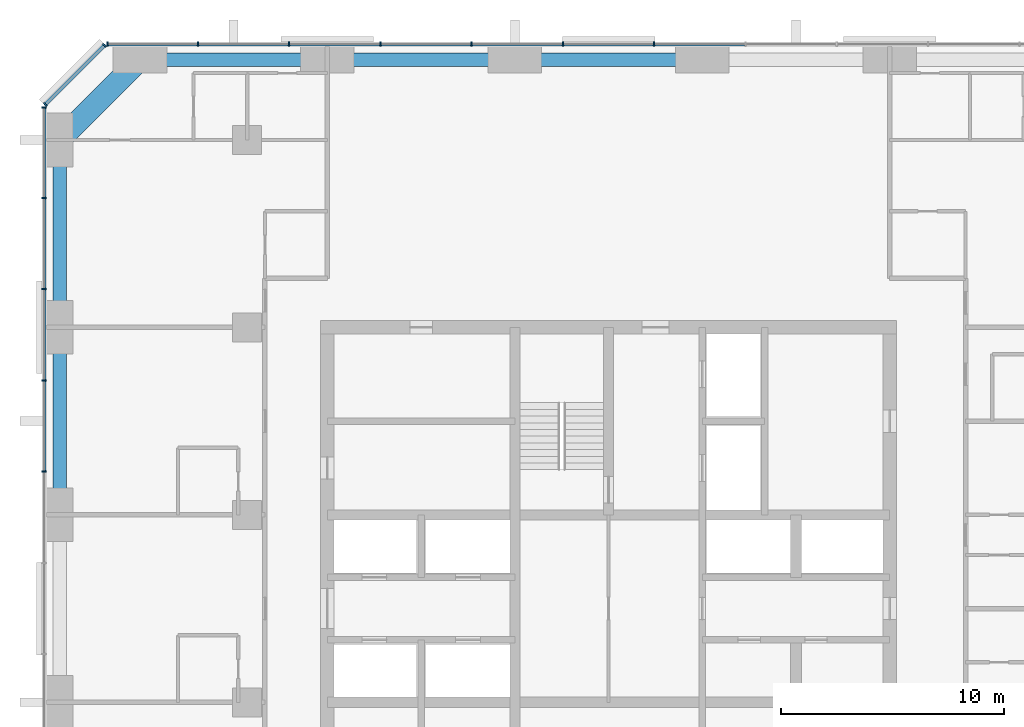
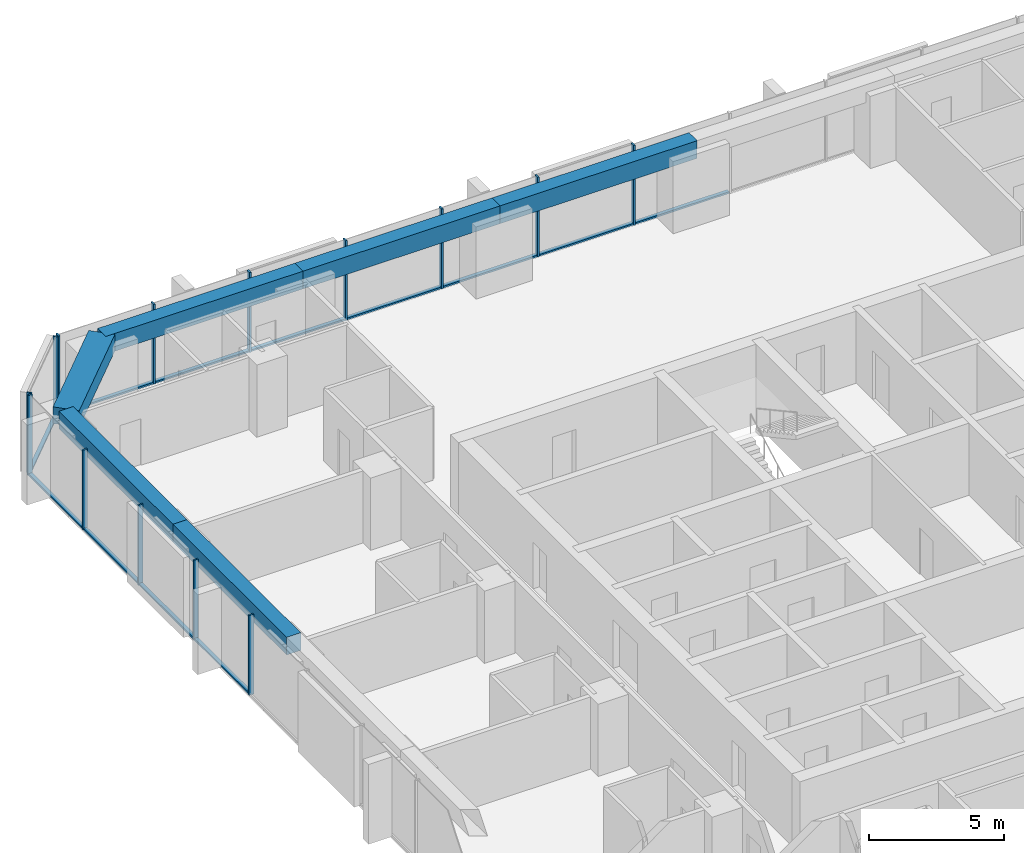
# One storey, part 5 of 13: 26 members, 6 beams, 3 elements without a shape of their own.
"""IFC4 building model written with IfcOpenShell, lengths in metres."""

from ifc_helpers import new_model, si_unit, direction, frame, origin, origin_2d, place, context, subcontext, project, spatial, rectangle, extrude, material, material_profile, profile_set, type_object, element, aggregate, save


model = new_model("IFC4")

# Units and contexts
model_context = context("Model", 3, precision=1e-05, world=origin(), true_north=direction((0.0, 1.0)))
body_context = subcontext(model_context, "Body", "Model", "MODEL_VIEW")
ifc_project = project(units=[si_unit("LENGTHUNIT", "METRE"), si_unit("AREAUNIT", "SQUARE_METRE"), si_unit("VOLUMEUNIT", "CUBIC_METRE"), si_unit("PLANEANGLEUNIT", "RADIAN"), si_unit("MASSUNIT", "GRAM", prefix="KILO")], contexts=[model_context])

# Site, building, storey
site_placement = place(None, origin())
site = spatial("IfcSite", under=ifc_project, at=site_placement, CompositionType="ELEMENT")
building_placement = place(site_placement, origin())
building = spatial("IfcBuilding", under=site, at=building_placement, Name="Dunama Terrace Hotel", CompositionType="ELEMENT")
storey_placement = place(building_placement, frame((0.0, 0.0, 187.800048828125)))
storey = spatial("IfcBuildingStorey", under=building, at=storey_placement, Name="L48", CompositionType="ELEMENT", Elevation=187.800048828125)

# Curtain wall, members
ifc_material_1 = material(Name="Aluminium curtain wall system", Category="aluminium")
curtain_wall_type = type_object("IfcCurtainWallType", Name="Unitised fritted glass wall CW-C", PredefinedType="NOTDEFINED", material=ifc_material_1)
curtain_wall_1_placement = place(storey_placement, origin())
curtain_wall_1 = element("IfcCurtainWall", 1, at=curtain_wall_1_placement, inside=storey, type_object=curtain_wall_type, Name="Unitised fritted glass wall CW-C L48", PredefinedType="NOTDEFINED")
ifc_material_2 = material(Name="Aluminium mullion", Category="aluminium")
ifc_material_profile_1 = material_profile(ifc_material_2, rectangle(XDim=0.070068359375, YDim=0.199951171875, at=origin_2d()), Name="CWC MULLION 70X200")
ifc_profile_set_1 = profile_set([ifc_material_profile_1], Name="Aluminium mullion")
member_type_1 = type_object("IfcMemberType", Name="CWC mullion 70x200", PredefinedType="MULLION", material=ifc_profile_set_1)
member_1_placement = place(storey_placement, frame((31.445068359375, 54.699951171875, 0.0), z_axis=(0.0, 0.0, 1.0), x_axis=(-1.0, 0.0, 0.0)))
member_1 = element("IfcMember", 2, at=member_1_placement, type_object=member_type_1, Name="CWC mullion", PredefinedType="MULLION", context=body_context, shape_type="SweptSolid", body=[
    extrude(rectangle(XDim=0.070068359375, YDim=0.199951171875, at=origin_2d()), origin(), (0.0, 0.0, 1.0), 3.599853515625),
])
member_2_placement = place(storey_placement, frame((27.35498046875, 54.699951171875, 0.0), z_axis=(0.0, 0.0, 1.0), x_axis=(-1.0, 0.0, 0.0)))
member_2 = element("IfcMember", 3, at=member_2_placement, type_object=member_type_1, Name="CWC mullion", PredefinedType="MULLION", context=body_context, shape_type="SweptSolid", body=[
    extrude(rectangle(XDim=0.070068359375, YDim=0.199951171875, at=origin_2d()), origin(), (0.0, 0.0, 1.0), 3.599853515625),
])
member_3_placement = place(storey_placement, frame((23.263916015625, 54.699951171875, 0.0), z_axis=(0.0, 0.0, 1.0), x_axis=(-1.0, 0.0, 0.0)))
member_3 = element("IfcMember", 4, at=member_3_placement, type_object=member_type_1, Name="CWC mullion", PredefinedType="MULLION", context=body_context, shape_type="SweptSolid", body=[
    extrude(rectangle(XDim=0.070068359375, YDim=0.199951171875, at=origin_2d()), origin(), (0.0, 0.0, 1.0), 3.599853515625),
])
member_4_placement = place(storey_placement, frame((19.173095703125, 54.699951171875, 0.0), z_axis=(0.0, 0.0, 1.0), x_axis=(-1.0, 0.0, 0.0)))
member_4 = element("IfcMember", 5, at=member_4_placement, type_object=member_type_1, Name="CWC mullion", PredefinedType="MULLION", context=body_context, shape_type="SweptSolid", body=[
    extrude(rectangle(XDim=0.070068359375, YDim=0.199951171875, at=origin_2d()), origin(), (0.0, 0.0, 1.0), 3.599853515625),
])
member_5_placement = place(storey_placement, frame((15.08203125, 54.699951171875, 0.0), z_axis=(0.0, 0.0, 1.0), x_axis=(-1.0, 0.0, 0.0)))
member_5 = element("IfcMember", 6, at=member_5_placement, type_object=member_type_1, Name="CWC mullion", PredefinedType="MULLION", context=body_context, shape_type="SweptSolid", body=[
    extrude(rectangle(XDim=0.070068359375, YDim=0.199951171875, at=origin_2d()), origin(), (0.0, 0.0, 1.0), 3.599853515625),
])
member_6_placement = place(storey_placement, frame((10.990966796875, 54.699951171875, 0.0), z_axis=(0.0, 0.0, 1.0), x_axis=(-1.0, 0.0, 0.0)))
member_6 = element("IfcMember", 7, at=member_6_placement, type_object=member_type_1, Name="CWC mullion", PredefinedType="MULLION", context=body_context, shape_type="SweptSolid", body=[
    extrude(rectangle(XDim=0.070068359375, YDim=0.199951171875, at=origin_2d()), origin(), (0.0, 0.0, 1.0), 3.599853515625),
])
member_7_placement = place(storey_placement, frame((6.93505859375, 54.699951171875, 0.0), z_axis=(0.0, 0.0, 1.0), x_axis=(-1.0, 0.0, 0.0)))
member_7 = element("IfcMember", 8, at=member_7_placement, type_object=member_type_1, Name="CWC mullion", PredefinedType="MULLION", context=body_context, shape_type="SweptSolid", body=[
    extrude(rectangle(XDim=0.070068359375, YDim=0.199951171875, at=origin_2d()), origin(), (0.0, 0.0, 1.0), 3.599853515625),
])

curtain_wall_2_placement = place(storey_placement, origin())
curtain_wall_2 = element("IfcCurtainWall", 9, at=curtain_wall_2_placement, inside=storey, type_object=curtain_wall_type, Name="Unitised fritted glass wall CW-C L48", PredefinedType="NOTDEFINED")
member_8_placement = place(storey_placement, frame((6.804931640625, 54.64599609375, 0.0), z_axis=(0.0, 0.0, 1.0), x_axis=(-0.707106781187, -0.707106781187, 0.0)))
member_8 = element("IfcMember", 10, at=member_8_placement, type_object=member_type_1, Name="CWC mullion", PredefinedType="MULLION", context=body_context, shape_type="SweptSolid", body=[
    extrude(rectangle(XDim=0.070068359375, YDim=0.199951171875, at=origin_2d()), origin(), (0.0, 0.0, 1.0), 3.599853515625),
])
member_9_placement = place(storey_placement, frame((4.154052734375, 51.9951171875, 0.0), z_axis=(0.0, 0.0, 1.0), x_axis=(-0.707106781187, -0.707106781187, 0.0)))
member_9 = element("IfcMember", 11, at=member_9_placement, type_object=member_type_1, Name="CWC mullion", PredefinedType="MULLION", context=body_context, shape_type="SweptSolid", body=[
    extrude(rectangle(XDim=0.070068359375, YDim=0.199951171875, at=origin_2d()), origin(), (0.0, 0.0, 1.0), 3.599853515625),
])

curtain_wall_3_placement = place(storey_placement, origin())
curtain_wall_3 = element("IfcCurtainWall", 12, at=curtain_wall_3_placement, inside=storey, type_object=curtain_wall_type, Name="Unitised fritted glass wall CW-C L48", PredefinedType="NOTDEFINED")
member_10_placement = place(storey_placement, frame((4.10009765625, 51.864990234375, 0.0), z_axis=(0.0, 0.0, 1.0), x_axis=(0.0, -1.0, 0.0)))
member_10 = element("IfcMember", 13, at=member_10_placement, type_object=member_type_1, Name="CWC mullion", PredefinedType="MULLION", context=body_context, shape_type="SweptSolid", body=[
    extrude(rectangle(XDim=0.070068359375, YDim=0.199951171875, at=origin_2d()), origin(), (0.0, 0.0, 1.0), 3.599853515625),
])
member_11_placement = place(storey_placement, frame((4.10009765625, 47.80908203125, 0.0), z_axis=(0.0, 0.0, 1.0), x_axis=(0.0, -1.0, 0.0)))
member_11 = element("IfcMember", 14, at=member_11_placement, type_object=member_type_1, Name="CWC mullion", PredefinedType="MULLION", context=body_context, shape_type="SweptSolid", body=[
    extrude(rectangle(XDim=0.070068359375, YDim=0.199951171875, at=origin_2d()), origin(), (0.0, 0.0, 1.0), 3.599853515625),
])
member_12_placement = place(storey_placement, frame((4.10009765625, 43.718017578125, 0.0), z_axis=(0.0, 0.0, 1.0), x_axis=(0.0, -1.0, 0.0)))
member_12 = element("IfcMember", 15, at=member_12_placement, type_object=member_type_1, Name="CWC mullion", PredefinedType="MULLION", context=body_context, shape_type="SweptSolid", body=[
    extrude(rectangle(XDim=0.070068359375, YDim=0.199951171875, at=origin_2d()), origin(), (0.0, 0.0, 1.0), 3.599853515625),
])
member_13_placement = place(storey_placement, frame((4.10009765625, 39.626953125, 0.0), z_axis=(0.0, 0.0, 1.0), x_axis=(0.0, -1.0, 0.0)))
member_13 = element("IfcMember", 16, at=member_13_placement, type_object=member_type_1, Name="CWC mullion", PredefinedType="MULLION", context=body_context, shape_type="SweptSolid", body=[
    extrude(rectangle(XDim=0.070068359375, YDim=0.199951171875, at=origin_2d()), origin(), (0.0, 0.0, 1.0), 3.599853515625),
])
member_14_placement = place(storey_placement, frame((4.10009765625, 35.535888671875, 0.0), z_axis=(0.0, 0.0, 1.0), x_axis=(0.0, -1.0, 0.0)))
member_14 = element("IfcMember", 17, at=member_14_placement, type_object=member_type_1, Name="CWC mullion", PredefinedType="MULLION", context=body_context, shape_type="SweptSolid", body=[
    extrude(rectangle(XDim=0.070068359375, YDim=0.199951171875, at=origin_2d()), origin(), (0.0, 0.0, 1.0), 3.599853515625),
])

# Member
ifc_material_3 = material(Name="Aluminium transom", Category="aluminium")
ifc_material_profile_2 = material_profile(ifc_material_3, rectangle(XDim=0.159912109375, YDim=0.080078125, at=origin_2d()), Name="CWC TRANSOM 160X80")
ifc_profile_set_2 = profile_set([ifc_material_profile_2], Name="Aluminium transom")
member_type_2 = type_object("IfcMemberType", Name="CWC transom 160x80", PredefinedType="USERDEFINED", material=ifc_profile_set_2)
member_15_placement = place(storey_placement, frame((35.5009765625, 54.699951171875, 0.0400390625), z_axis=(-1.0, 0.0, 0.0), x_axis=(0.0, -1.0, 0.0)))
member_15 = element("IfcMember", 18, at=member_15_placement, type_object=member_type_2, Name="CWC transom", ObjectType="TRANSOM", PredefinedType="USERDEFINED", context=body_context, shape_type="SweptSolid", body=[
    extrude(rectangle(XDim=0.159912109375, YDim=0.080078125, at=origin_2d()), origin(), (0.0, 0.0, 1.0), 4.02099609375),
])

member_16_placement = place(storey_placement, frame((31.409912109375, 54.699951171875, 0.0400390625), z_axis=(-1.0, 0.0, 0.0), x_axis=(0.0, -1.0, 0.0)))
member_16 = element("IfcMember", 19, at=member_16_placement, type_object=member_type_2, Name="CWC transom", ObjectType="TRANSOM", PredefinedType="USERDEFINED", context=body_context, shape_type="SweptSolid", body=[
    extrude(rectangle(XDim=0.159912109375, YDim=0.080078125, at=origin_2d()), origin(), (0.0, 0.0, 1.0), 4.02001953125),
])

member_17_placement = place(storey_placement, frame((27.320068359375, 54.699951171875, 0.0400390625), z_axis=(-1.0, 0.0, 0.0), x_axis=(0.0, -1.0, 0.0)))
member_17 = element("IfcMember", 20, at=member_17_placement, type_object=member_type_2, Name="CWC transom", ObjectType="TRANSOM", PredefinedType="USERDEFINED", context=body_context, shape_type="SweptSolid", body=[
    extrude(rectangle(XDim=0.159912109375, YDim=0.080078125, at=origin_2d()), origin(), (0.0, 0.0, 1.0), 4.02099609375),
])

member_18_placement = place(storey_placement, frame((23.22900390625, 54.699951171875, 0.0400390625), z_axis=(-1.0, 0.0, 0.0), x_axis=(0.0, -1.0, 0.0)))
member_18 = element("IfcMember", 21, at=member_18_placement, type_object=member_type_2, Name="CWC transom", ObjectType="TRANSOM", PredefinedType="USERDEFINED", context=body_context, shape_type="SweptSolid", body=[
    extrude(rectangle(XDim=0.159912109375, YDim=0.080078125, at=origin_2d()), origin(), (0.0, 0.0, 1.0), 4.02099609375),
])

member_19_placement = place(storey_placement, frame((19.137939453125, 54.699951171875, 0.0400390625), z_axis=(-1.0, 0.0, 0.0), x_axis=(0.0, -1.0, 0.0)))
member_19 = element("IfcMember", 22, at=member_19_placement, type_object=member_type_2, Name="CWC transom", ObjectType="TRANSOM", PredefinedType="USERDEFINED", context=body_context, shape_type="SweptSolid", body=[
    extrude(rectangle(XDim=0.159912109375, YDim=0.080078125, at=origin_2d()), origin(), (0.0, 0.0, 1.0), 4.02099609375),
])

member_20_placement = place(storey_placement, frame((15.047119140625, 54.699951171875, 0.0400390625), z_axis=(-1.0, 0.0, 0.0), x_axis=(0.0, -1.0, 0.0)))
member_20 = element("IfcMember", 23, at=member_20_placement, type_object=member_type_2, Name="CWC transom", ObjectType="TRANSOM", PredefinedType="USERDEFINED", context=body_context, shape_type="SweptSolid", body=[
    extrude(rectangle(XDim=0.159912109375, YDim=0.080078125, at=origin_2d()), origin(), (0.0, 0.0, 1.0), 4.021240234375),
])

member_21_placement = place(storey_placement, frame((10.9560546875, 54.699951171875, 0.0400390625), z_axis=(-1.0, 0.0, 0.0), x_axis=(0.0, -1.0, 0.0)))
member_21 = element("IfcMember", 24, at=member_21_placement, type_object=member_type_2, Name="CWC transom", ObjectType="TRANSOM", PredefinedType="USERDEFINED", context=body_context, shape_type="SweptSolid", body=[
    extrude(rectangle(XDim=0.159912109375, YDim=0.080078125, at=origin_2d()), origin(), (0.0, 0.0, 1.0), 3.986083984375),
])

aggregate(curtain_wall_1, [member_1, member_2, member_3, member_4, member_5, member_6, member_7, member_15, member_16, member_17, member_18, member_19, member_20, member_21])

member_22_placement = place(storey_placement, frame((6.780029296875, 54.62109375, 0.0400390625), z_axis=(-0.707106781187, -0.707106781187, 0.0), x_axis=(0.707106781187, -0.707106781187, 0.0)))
member_22 = element("IfcMember", 25, at=member_22_placement, type_object=member_type_2, Name="CWC transom", ObjectType="TRANSOM", PredefinedType="USERDEFINED", context=body_context, shape_type="SweptSolid", body=[
    extrude(rectangle(XDim=0.159912109375, YDim=0.080078125, at=origin_2d()), origin(), (0.0, 0.0, 1.0), 3.678466796875),
])

aggregate(curtain_wall_2, [member_8, member_9, member_22])

member_23_placement = place(storey_placement, frame((4.10009765625, 51.830078125, 0.0400390625), z_axis=(0.0, -1.0, 0.0), x_axis=(1.0, 0.0, 0.0)))
member_23 = element("IfcMember", 26, at=member_23_placement, type_object=member_type_2, Name="CWC transom", ObjectType="TRANSOM", PredefinedType="USERDEFINED", context=body_context, shape_type="SweptSolid", body=[
    extrude(rectangle(XDim=0.159912109375, YDim=0.080078125, at=origin_2d()), origin(), (0.0, 0.0, 1.0), 3.986083984375),
])

member_24_placement = place(storey_placement, frame((4.10009765625, 47.77392578125, 0.0400390625), z_axis=(0.0, -1.0, 0.0), x_axis=(1.0, 0.0, 0.0)))
member_24 = element("IfcMember", 27, at=member_24_placement, type_object=member_type_2, Name="CWC transom", ObjectType="TRANSOM", PredefinedType="USERDEFINED", context=body_context, shape_type="SweptSolid", body=[
    extrude(rectangle(XDim=0.159912109375, YDim=0.080078125, at=origin_2d()), origin(), (0.0, 0.0, 1.0), 4.02099609375),
])

member_25_placement = place(storey_placement, frame((4.10009765625, 43.68310546875, 0.0400390625), z_axis=(0.0, -1.0, 0.0), x_axis=(1.0, 0.0, 0.0)))
member_25 = element("IfcMember", 28, at=member_25_placement, type_object=member_type_2, Name="CWC transom", ObjectType="TRANSOM", PredefinedType="USERDEFINED", context=body_context, shape_type="SweptSolid", body=[
    extrude(rectangle(XDim=0.159912109375, YDim=0.080078125, at=origin_2d()), origin(), (0.0, 0.0, 1.0), 4.02099609375),
])

member_26_placement = place(storey_placement, frame((4.10009765625, 39.592041015625, 0.0400390625), z_axis=(0.0, -1.0, 0.0), x_axis=(1.0, 0.0, 0.0)))
member_26 = element("IfcMember", 29, at=member_26_placement, type_object=member_type_2, Name="CWC transom", ObjectType="TRANSOM", PredefinedType="USERDEFINED", context=body_context, shape_type="SweptSolid", body=[
    extrude(rectangle(XDim=0.159912109375, YDim=0.080078125, at=origin_2d()), origin(), (0.0, 0.0, 1.0), 4.02099609375),
])

aggregate(curtain_wall_3, [member_10, member_11, member_12, member_13, member_14, member_23, member_24, member_25, member_26])

# Beams
ifc_material_4 = material(Name="Concrete C50/60", Category="concrete")
ifc_material_profile_3 = material_profile(ifc_material_4, rectangle(XDim=1.0, YDim=0.75, at=origin_2d()), Name="RC 1000x750")
ifc_profile_set_3 = profile_set([ifc_material_profile_3], Name="Concrete C50/60")
beam_type_1 = type_object("IfcBeamType", Name="Edge beam RC 1000x750", PredefinedType="SPANDREL", material=ifc_profile_set_3)
beam_1_placement = place(storey_placement, frame((8.39990234375, 54.0, 3.224853515625), z_axis=(-0.707082803744, -0.707130757816, 0.0), x_axis=(0.707130757816, -0.707082803744, 0.0)))
element("IfcBeam", 30, at=beam_1_placement, inside=storey, type_object=beam_type_1, Name="Corner edge beam under L49", PredefinedType="SPANDREL", context=body_context, shape_type="SweptSolid", body=[
    extrude(rectangle(XDim=1.0, YDim=0.75, at=origin_2d()), origin(), (0.0, 0.0, 1.0), 5.091064453125),
])
ifc_material_5 = material(Name="Concrete C40/50", Category="concrete")
ifc_material_profile_4 = material_profile(ifc_material_5, rectangle(XDim=0.60009765625, YDim=0.800048828125, at=origin_2d()), Name="RC 600x800")
ifc_profile_set_4 = profile_set([ifc_material_profile_4], Name="Concrete C40/50")
beam_type_2 = type_object("IfcBeamType", Name="Edge beam RC 600x800", PredefinedType="SPANDREL", material=ifc_profile_set_4)
for number, where, z_axis, x_axis, name in (
    (31, (4.800048828125, 33.60009765625, 3.199951171875), (0.0, 1.0, 0.0), (-1.0, 0.0, 0.0), "Edge beam under L49"),
    (32, (4.800048828125, 42.0, 3.199951171875), (0.0, 1.0, 0.0), (-1.0, 0.0, 0.0), "Edge beam under L49"),
):
    element("IfcBeam", number, at=place(storey_placement, frame(where, z_axis=z_axis, x_axis=x_axis)), inside=storey, type_object=beam_type_2, Name=name, PredefinedType="SPANDREL", context=body_context, shape_type="SweptSolid", body=[
        extrude(rectangle(XDim=0.60009765625, YDim=0.800048828125, at=origin_2d()), origin(), (0.0, 0.0, 1.0), 8.39990234375),
    ])
beam_2_placement = place(storey_placement, frame((8.39990234375, 54.0, 3.199951171875), z_axis=(1.0, 0.0, 0.0), x_axis=(0.0, 1.0, 0.0)))
element("IfcBeam", 33, at=beam_2_placement, inside=storey, type_object=beam_type_2, Name="Edge beam under L49", PredefinedType="SPANDREL", context=body_context, shape_type="SweptSolid", body=[
    extrude(rectangle(XDim=0.60009765625, YDim=0.800048828125, at=origin_2d()), origin(), (0.0, 0.0, 1.0), 8.400146484375),
])
beam_3_placement = place(storey_placement, frame((16.800048828125, 54.0, 3.199951171875), z_axis=(1.0, 0.0, 0.0), x_axis=(0.0, 1.0, 0.0)))
element("IfcBeam", 34, at=beam_3_placement, inside=storey, type_object=beam_type_2, Name="Edge beam under L49", PredefinedType="SPANDREL", context=body_context, shape_type="SweptSolid", body=[
    extrude(rectangle(XDim=0.60009765625, YDim=0.800048828125, at=origin_2d()), origin(), (0.0, 0.0, 1.0), 8.39990234375),
])
beam_4_placement = place(storey_placement, frame((25.199951171875, 54.0, 3.199951171875), z_axis=(1.0, 0.0, 0.0), x_axis=(0.0, 1.0, 0.0)))
element("IfcBeam", 35, at=beam_4_placement, inside=storey, type_object=beam_type_2, Name="Edge beam under L49", PredefinedType="SPANDREL", context=body_context, shape_type="SweptSolid", body=[
    extrude(rectangle(XDim=0.60009765625, YDim=0.800048828125, at=origin_2d()), origin(), (0.0, 0.0, 1.0), 8.400146484375),
])

save(model, "model.ifc")
